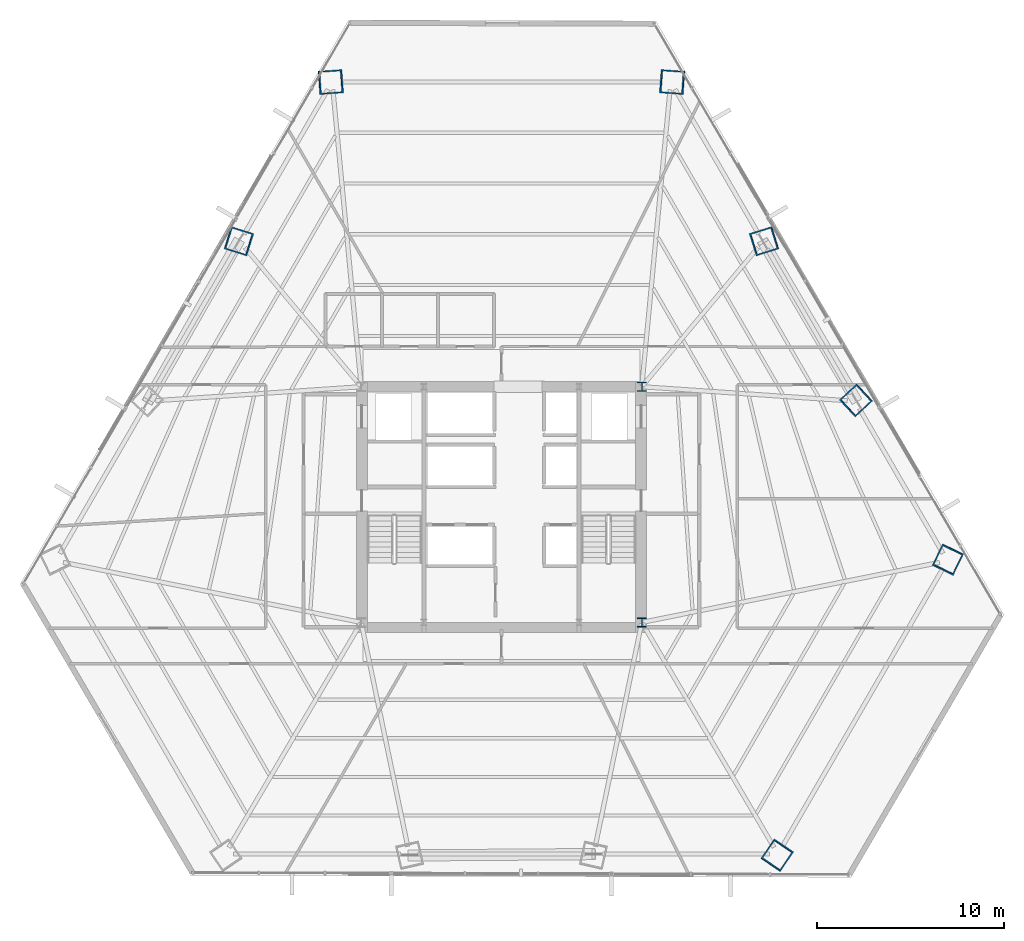
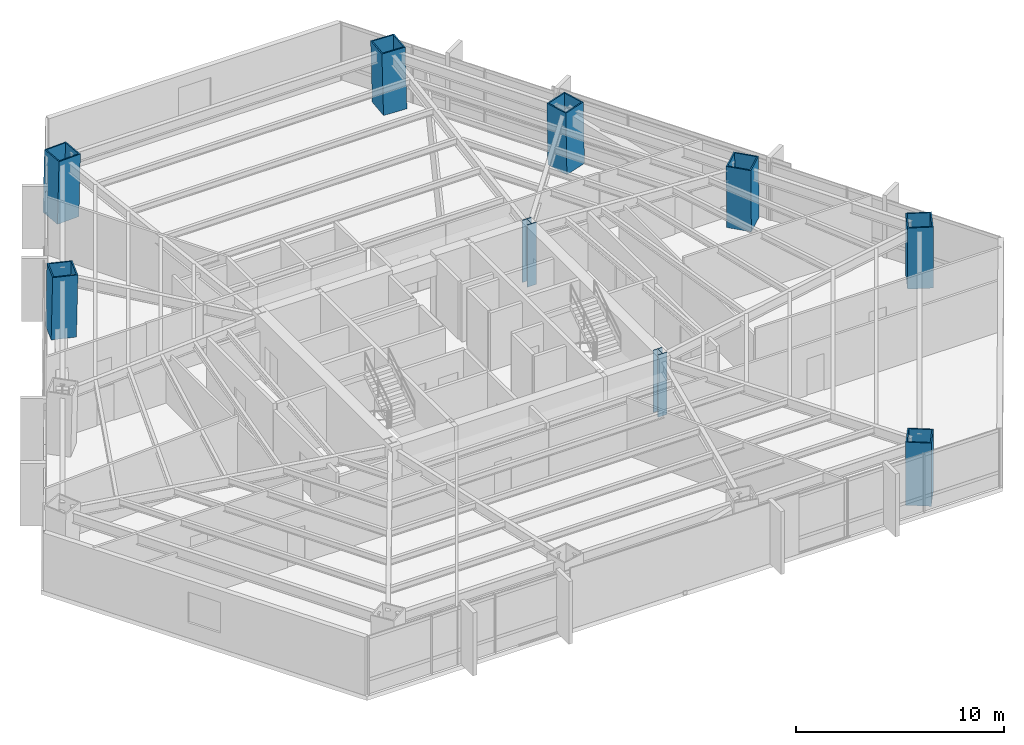
# One storey, part 2 of 33: 9 columns.
"""IFC4 building model written with IfcOpenShell, lengths in metres."""

from ifc_helpers import new_model, si_unit, direction, frame, origin, origin_2d, place, context, subcontext, project, spatial, hollow_rectangle, i_section, extrude, source, transform, mapped, material, material_profile, profile_set, type_object, type_shapes, element, save


model = new_model("IFC4")

# Units and contexts
model_context = context("Model", 3, precision=1e-05, world=origin(), true_north=direction((0.0, 1.0)))
body_context = subcontext(model_context, "Body", "Model", "MODEL_VIEW")
ifc_project = project(units=[si_unit("LENGTHUNIT", "METRE"), si_unit("AREAUNIT", "SQUARE_METRE"), si_unit("VOLUMEUNIT", "CUBIC_METRE"), si_unit("PLANEANGLEUNIT", "RADIAN"), si_unit("MASSUNIT", "GRAM", prefix="KILO")], contexts=[model_context])

# Site, building, storey
site_placement = place(None, origin())
site = spatial("IfcSite", under=ifc_project, at=site_placement, CompositionType="ELEMENT")
building_placement = place(site_placement, origin())
building = spatial("IfcBuilding", under=site, at=building_placement, Name="Caelisora Broadcast Tower", CompositionType="ELEMENT")
storey_placement = place(building_placement, frame((0.0, 0.0, 34.89990234375)))
storey = spatial("IfcBuildingStorey", under=building, at=storey_placement, Name="L08", CompositionType="ELEMENT", Elevation=34.89990234375)

# Columns
ifc_material_1 = material(Name="Steel Grade 350 L15 (AS/NZS 3678)", Category="steel")
ifc_material_profile_1 = material_profile(ifc_material_1, hollow_rectangle(XDim=1.25, YDim=1.25, WallThickness=0.070068359375, at=origin_2d()), Name="Steel Grade 350 L15 (AS/NZS 3678)")
ifc_profile_set_1 = profile_set([ifc_material_profile_1], Name="Steel Grade 350 L15 (AS/NZS 3678)")
column_type_1 = type_object("IfcColumnType", Name="MC02", PredefinedType="COLUMN", material=ifc_profile_set_1)
shared_shape_1 = source(origin(), body_context, "Body", "SweptSolid", [
    extrude(hollow_rectangle(XDim=1.25, YDim=1.25, WallThickness=0.070068359375, at=origin_2d()), origin(), (0.0, 0.0, 1.0), 3.65087890625),
])
for number, where, z_axis, x_axis, name in (
    (1, (23.95263671875, 37.780029296875, 0.0), (0.01939269685, -0.00601842316, 0.999793829693), (0.296399214872, 0.955064136811, 0.0), "L08 column MC02"),
    (2, (56.95751953125, 29.275390625, 0.0), (-0.014845459728, -0.013775516685, 0.9997949027), (0.68019775991, -0.733028653883, 0.0), "L08 column MC02"),
    (3, (52.04736328125, 37.780029296875, 0.0), (-0.01939269685, -0.00601842316, 0.999793829693), (0.296399214872, -0.955064136811, 0.0), "L08 column MC02"),
):
    element("IfcColumn", number, at=place(storey_placement, frame(where, z_axis=z_axis, x_axis=x_axis)), inside=storey, type_object=column_type_1, Name=name, PredefinedType="COLUMN", context=body_context, shape_type="MappedRepresentation", body=[
        mapped(shared_shape_1, transform((0.0, 0.0, 0.0), scale=1.0)),
    ])
ifc_material_2 = material(Name="Steel Grade 350 (AS/NZS 3679.2)", Category="steel")
ifc_material_profile_2 = material_profile(ifc_material_2, i_section(OverallWidth=0.5, OverallDepth=0.5, WebThickness=0.028076171875, FlangeThickness=0.0400390625, at=origin_2d()), Name="Steel Grade 350 (AS/NZS 3679.2)")
ifc_profile_set_2 = profile_set([ifc_material_profile_2], Name="Steel Grade 350 (AS/NZS 3679.2)")
column_type_2 = type_object("IfcColumnType", Name="CC01", PredefinedType="COLUMN", material=ifc_profile_set_2)
shared_shape_2 = source(origin(), body_context, "Body", "SweptSolid", [
    extrude(i_section(OverallWidth=0.5, OverallDepth=0.5, WebThickness=0.028076171875, FlangeThickness=0.0400390625, at=origin_2d()), origin(), (0.0, 0.0, 1.0), 3.650146484375),
])
type_shapes(column_type_2, [shared_shape_2])
for number, where, z_axis, x_axis, name in (
    (4, (45.5, 17.39990234375, 0.0), (0.0, 0.0, 1.0), (1.0, 0.0, 0.0), "L08 column CC01"),
    (5, (45.5, 30.0, 0.0), (0.0, 0.0, 1.0), (1.0, 0.0, 0.0), "L08 column CC01"),
):
    element("IfcColumn", number, at=place(storey_placement, frame(where, z_axis=z_axis, x_axis=x_axis)), inside=storey, type_object=column_type_2, Name=name, PredefinedType="COLUMN", context=body_context, shape_type="MappedRepresentation", body=[
        mapped(shared_shape_2, transform((0.0, 0.0, 0.0), scale=1.0)),
    ])
shared_shape_3 = source(origin(), body_context, "Body", "SweptSolid", [
    extrude(hollow_rectangle(XDim=1.25, YDim=1.25, WallThickness=0.070068359375, at=origin_2d()), origin(), (0.0, 0.0, 1.0), 3.651123046875),
])
type_shapes(column_type_1, [shared_shape_1, shared_shape_3])
for number, where, z_axis, x_axis, name in (
    (6, (47.13720703125, 46.284912109375, 0.0), (-0.023937988913, 0.001738513161, 0.999711933638), (-0.072434920849, -0.997373140926, 0.0), "L08 column MC02"),
    (7, (28.86279296875, 46.284912109375, 0.0), (0.023937988913, 0.001738513161, 0.999711933638), (-0.072434920849, 0.997373140926, 0.0), "L08 column MC02"),
    (8, (52.730712890625, 4.944580078125, 0.0), (0.013440068782, 0.019792340097, 0.999713772949), (-0.827290216258, 0.561774775229, 0.0), "L08 column MC02"),
    (9, (61.867919921875, 20.7705078125, 0.0), (-0.010431098089, -0.021530856313, 0.999713766245), (0.899947055326, -0.435999194506, 0.0), "L08 column MC02"),
):
    element("IfcColumn", number, at=place(storey_placement, frame(where, z_axis=z_axis, x_axis=x_axis)), inside=storey, type_object=column_type_1, Name=name, PredefinedType="COLUMN", context=body_context, shape_type="MappedRepresentation", body=[
        mapped(shared_shape_3, transform((0.0, 0.0, 0.0), scale=1.0)),
    ])

save(model, "model.ifc")
